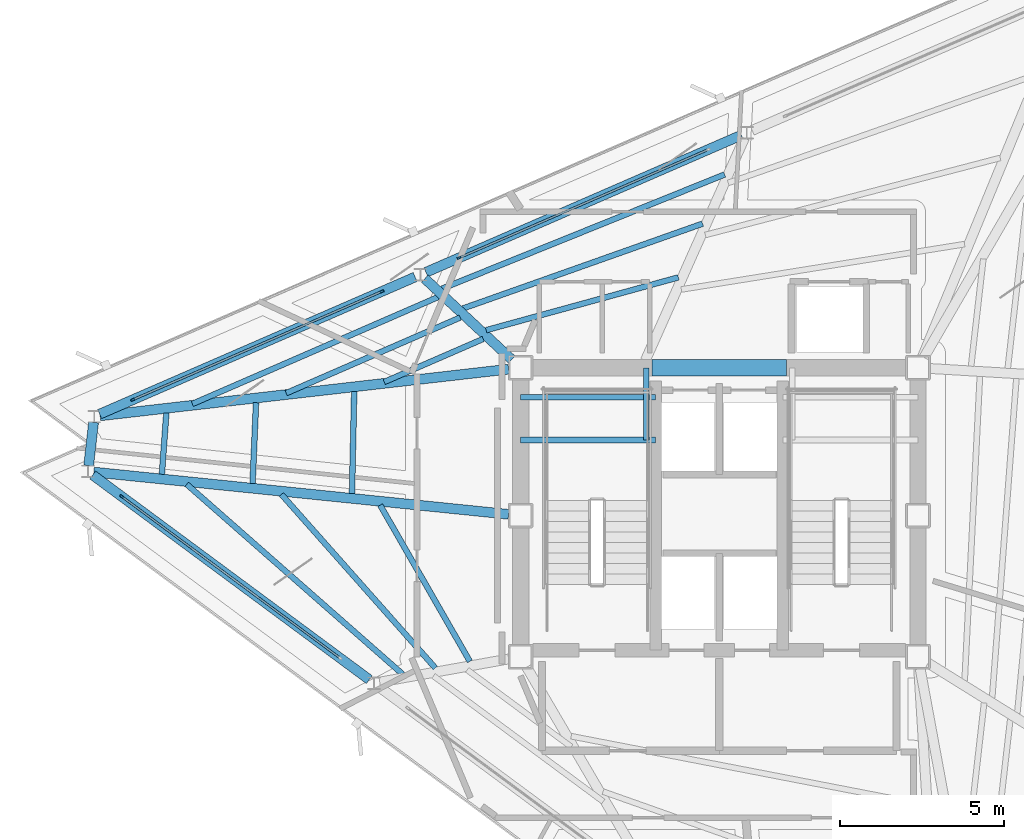
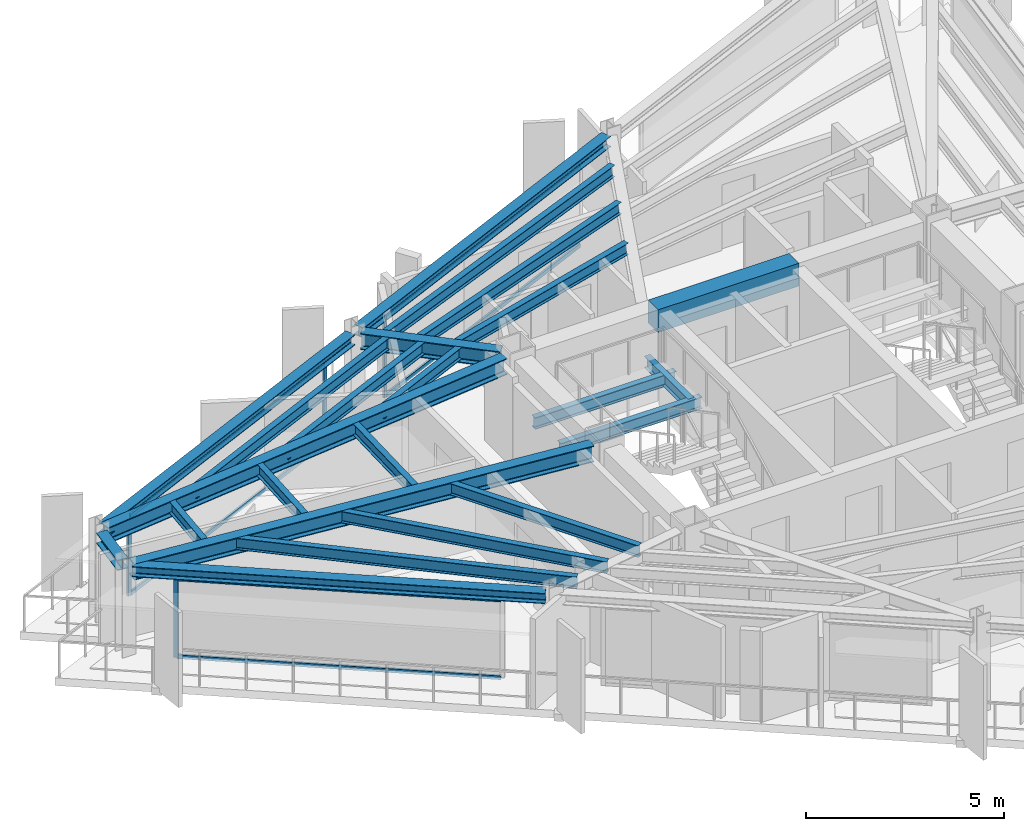
# One storey, part 3 of 10: 23 beams, 10 members, 3 elements without a shape of their own.
"""IFC4 building model written with IfcOpenShell, lengths in metres."""

from ifc_helpers import new_model, si_unit, direction, frame, origin, origin_2d, place, context, subcontext, project, spatial, rectangle, i_section, extrude, material, layer, layer_set, material_profile, profile_set, type_object, element, aggregate, save


model = new_model("IFC4")

# Units and contexts
model_context = context("Model", 3, precision=1e-05, world=origin(), true_north=direction((0.0, 1.0)))
body_context = subcontext(model_context, "Body", "Model", "MODEL_VIEW")
ifc_project = project(units=[si_unit("LENGTHUNIT", "METRE"), si_unit("AREAUNIT", "SQUARE_METRE"), si_unit("VOLUMEUNIT", "CUBIC_METRE"), si_unit("PLANEANGLEUNIT", "RADIAN"), si_unit("MASSUNIT", "GRAM", prefix="KILO")], contexts=[model_context])

# Site, building, storey
site_placement = place(None, origin())
site = spatial("IfcSite", under=ifc_project, at=site_placement, CompositionType="ELEMENT")
building_placement = place(site_placement, origin())
building = spatial("IfcBuilding", under=site, at=building_placement, Name="Rocaltana Carrier Exchange", CompositionType="ELEMENT")
storey_placement = place(building_placement, frame((0.0, 0.0, 224.0)))
storey = spatial("IfcBuildingStorey", under=building, at=storey_placement, Name="L71", CompositionType="ELEMENT", Elevation=224.0)

# Curtain wall, member
ifc_material_1 = material(Name="Aluminium 6063-T6", Category="aluminium")
ifc_layer = layer(ifc_material_1, 0.1201171875)
ifc_layer_set = layer_set([ifc_layer], Name="Aluminium 6063-T6")
curtain_wall_type = type_object("IfcCurtainWallType", Name="High-Altitude Thermal Curtain Wall CW-05", PredefinedType="NOTDEFINED", material=ifc_layer_set)
curtain_wall_1_placement = place(storey_placement, origin())
curtain_wall_1 = element("IfcCurtainWall", 1, at=curtain_wall_1_placement, inside=storey, type_object=curtain_wall_type, Name="L71 CW-05 Run CW-L71-F2S2", PredefinedType="NOTDEFINED")
ifc_material_2 = material(Name="Aluminium 6063-T6", Category="aluminium")
ifc_material_profile_1 = material_profile(ifc_material_2, rectangle(XDim=0.06005859375, YDim=0.1201171875, at=origin_2d()), Name="AL-60X120")
ifc_profile_set_1 = profile_set([ifc_material_profile_1], Name="Aluminium 6063-T6")
member_type_1 = type_object("IfcMemberType", Name="CW-05 Mullion AL-60X120", PredefinedType="MULLION", material=ifc_profile_set_1)
member_1_placement = place(storey_placement, frame((-7.922607421875, 7.846435546875, 0.0), z_axis=(0.0, 0.0, 1.0), x_axis=(0.398752438254, -0.917058609352, 0.0)))
member_1 = element("IfcMember", 2, at=member_1_placement, type_object=member_type_1, Name="CW-05 mullion 2", PredefinedType="MULLION", context=body_context, shape_type="SweptSolid", body=[
    extrude(rectangle(XDim=0.06005859375, YDim=0.1201171875, at=origin_2d()), origin(), (0.0, 0.0, 1.0), 2.447998046875),
])

# Curtain wall, members
curtain_wall_2_placement = place(storey_placement, origin())
curtain_wall_2 = element("IfcCurtainWall", 3, at=curtain_wall_2_placement, inside=storey, type_object=curtain_wall_type, Name="L71 CW-05 Run CW-L71-F2S3", PredefinedType="NOTDEFINED")
member_2_placement = place(storey_placement, frame((-10.270263671875, 6.82568359375, 0.0), z_axis=(0.0, 0.0, 1.0), x_axis=(0.39875682637, -0.917056701313, 0.0)))
member_2 = element("IfcMember", 4, at=member_2_placement, type_object=member_type_1, Name="CW-05 mullion 1", PredefinedType="MULLION", context=body_context, shape_type="SweptSolid", body=[
    extrude(rectangle(XDim=0.06005859375, YDim=0.1201171875, at=origin_2d()), origin(), (0.0, 0.0, 1.0), 2.447998046875),
])
member_3_placement = place(storey_placement, frame((-17.857421875, 3.526611328125, 0.0), z_axis=(0.0, 0.0, 1.0), x_axis=(0.39875682637, -0.917056701313, 0.0)))
member_3 = element("IfcMember", 5, at=member_3_placement, type_object=member_type_1, Name="CW-05 mullion 2", PredefinedType="MULLION", context=body_context, shape_type="SweptSolid", body=[
    extrude(rectangle(XDim=0.06005859375, YDim=0.1201171875, at=origin_2d()), origin(), (0.0, 0.0, 1.0), 2.447998046875),
])

# Curtain wall, member
curtain_wall_3_placement = place(storey_placement, origin())
curtain_wall_3 = element("IfcCurtainWall", 6, at=curtain_wall_3_placement, inside=storey, type_object=curtain_wall_type, Name="L71 CW-05 Run CW-L71-F3S1", PredefinedType="NOTDEFINED")
member_4_placement = place(storey_placement, frame((-18.19287109375, 0.580810546875, 0.0), z_axis=(0.0, 0.0, 1.0), x_axis=(0.594826566974, 0.803854063386, 0.0)))
member_4 = element("IfcMember", 7, at=member_4_placement, type_object=member_type_1, Name="CW-05 mullion 1", PredefinedType="MULLION", context=body_context, shape_type="SweptSolid", body=[
    extrude(rectangle(XDim=0.06005859375, YDim=0.1201171875, at=origin_2d()), origin(), (0.0, 0.0, 1.0), 2.447998046875),
])

# Member
ifc_material_3 = material(Name="Aluminium 6063-T6", Category="aluminium")
ifc_material_profile_2 = material_profile(ifc_material_3, rectangle(XDim=0.06005859375, YDim=0.1201171875, at=origin_2d()), Name="AL-60X120")
ifc_profile_set_2 = profile_set([ifc_material_profile_2], Name="Aluminium 6063-T6")
member_type_2 = type_object("IfcMemberType", Name="CW-05 Transom AL-60X120", PredefinedType="USERDEFINED", material=ifc_profile_set_2)
member_5_placement = place(storey_placement, frame((-0.36279296875, 11.133544921875, 0.030029296875), z_axis=(-0.917058241688, -0.398753283814, 0.0), x_axis=(0.398753283814, -0.917058241688, 0.0)))
member_5 = element("IfcMember", 8, at=member_5_placement, type_object=member_type_2, Name="CW-05 transom 1.1", ObjectType="TRANSOM", PredefinedType="USERDEFINED", context=body_context, shape_type="SweptSolid", body=[
    extrude(rectangle(XDim=0.06005859375, YDim=0.1201171875, at=origin_2d()), origin(), (0.0, 0.0, 1.0), 8.21337890625),
])

member_6_placement = place(storey_placement, frame((-0.36279296875, 11.133544921875, 2.41796875), z_axis=(-0.917058241688, -0.398753283814, 0.0), x_axis=(0.398753283814, -0.917058241688, 0.0)))
member_6 = element("IfcMember", 9, at=member_6_placement, type_object=member_type_2, Name="CW-05 transom 1.2", ObjectType="TRANSOM", PredefinedType="USERDEFINED", context=body_context, shape_type="SweptSolid", body=[
    extrude(rectangle(XDim=0.06005859375, YDim=0.1201171875, at=origin_2d()), origin(), (0.0, 0.0, 1.0), 8.21337890625),
])

aggregate(curtain_wall_1, [member_1, member_5, member_6])

member_7_placement = place(storey_placement, frame((-10.297607421875, 6.813720703125, 0.030029296875), z_axis=(-0.917058241688, -0.398753283814, 0.0), x_axis=(0.398753283814, -0.917058241688, 0.0)))
member_7 = element("IfcMember", 10, at=member_7_placement, type_object=member_type_2, Name="CW-05 transom 1.1", ObjectType="TRANSOM", PredefinedType="USERDEFINED", context=body_context, shape_type="SweptSolid", body=[
    extrude(rectangle(XDim=0.06005859375, YDim=0.1201171875, at=origin_2d()), origin(), (0.0, 0.0, 1.0), 8.21337890625),
])

member_8_placement = place(storey_placement, frame((-10.297607421875, 6.813720703125, 2.41796875), z_axis=(-0.917058241688, -0.398753283814, 0.0), x_axis=(0.398753283814, -0.917058241688, 0.0)))
member_8 = element("IfcMember", 11, at=member_8_placement, type_object=member_type_2, Name="CW-05 transom 1.2", ObjectType="TRANSOM", PredefinedType="USERDEFINED", context=body_context, shape_type="SweptSolid", body=[
    extrude(rectangle(XDim=0.06005859375, YDim=0.1201171875, at=origin_2d()), origin(), (0.0, 0.0, 1.0), 8.21337890625),
])

aggregate(curtain_wall_2, [member_2, member_3, member_7, member_8])

member_9_placement = place(storey_placement, frame((-18.1689453125, 0.56298828125, 0.030029296875), z_axis=(0.803853553959, -0.594827255418, 0.0), x_axis=(0.594827255418, 0.803853553959, 0.0)))
member_9 = element("IfcMember", 12, at=member_9_placement, type_object=member_type_2, Name="CW-05 transom 1.1", ObjectType="TRANSOM", PredefinedType="USERDEFINED", context=body_context, shape_type="SweptSolid", body=[
    extrude(rectangle(XDim=0.06005859375, YDim=0.1201171875, at=origin_2d()), origin(), (0.0, 0.0, 1.0), 8.21337890625),
])

member_10_placement = place(storey_placement, frame((-18.1689453125, 0.56298828125, 2.41796875), z_axis=(0.803853553959, -0.594827255418, 0.0), x_axis=(0.594827255418, 0.803853553959, 0.0)))
member_10 = element("IfcMember", 13, at=member_10_placement, type_object=member_type_2, Name="CW-05 transom 1.2", ObjectType="TRANSOM", PredefinedType="USERDEFINED", context=body_context, shape_type="SweptSolid", body=[
    extrude(rectangle(XDim=0.06005859375, YDim=0.1201171875, at=origin_2d()), origin(), (0.0, 0.0, 1.0), 8.21337890625),
])

aggregate(curtain_wall_3, [member_4, member_9, member_10])

# Beams
ifc_material_4 = material(Name="Concrete C60/75", Category="concrete")
ifc_material_profile_3 = material_profile(ifc_material_4, rectangle(XDim=0.5, YDim=0.699951171875, at=origin_2d()), Name="RC-BM-500X700")
ifc_profile_set_3 = profile_set([ifc_material_profile_3], Name="Concrete C60/75")
beam_type_1 = type_object("IfcBeamType", Name="Core Coupling Lintel 500x700", PredefinedType="LINTEL", material=ifc_profile_set_3)
beam_1_placement = place(storey_placement, frame((-2.050048828125, 4.5, 2.447998046875), z_axis=(1.0, 0.0, 0.0), x_axis=(0.0, 1.0, 0.0)))
element("IfcBeam", 14, at=beam_1_placement, inside=storey, type_object=beam_type_1, Name="L71 Core Coupling Lintel CL-N", PredefinedType="LINTEL", context=body_context, shape_type="SweptSolid", body=[
    extrude(rectangle(XDim=0.5, YDim=0.699951171875, at=origin_2d()), origin(), (0.0, 0.0, 1.0), 4.10009765625),
])
ifc_material_5 = material(Name="Steel S355", Category="steel")
ifc_material_profile_4 = material_profile(ifc_material_5, i_section(OverallWidth=0.172119140625, OverallDepth=0.35791015625, WebThickness=0.0078125, FlangeThickness=0.01318359375, FilletRadius=0.011962890625, at=origin_2d()), Name="W14X38")
ifc_profile_set_4 = profile_set([ifc_material_profile_4], Name="Steel S355")
beam_type_2 = type_object("IfcBeamType", Name="Floor Joist W14X38", PredefinedType="JOIST", material=ifc_profile_set_4)
for number, where, z_axis, x_axis, name in (
    (15, (-6.050048828125, 2.300048828125, 1.14111328125), (1.0, 0.0, 0.0), (0.0, 1.0, 0.0), "L71 ST-1 Landing Carrier 1"),
    (16, (-6.050048828125, 3.60009765625, 1.14111328125), (1.0, 0.0, 0.0), (0.0, 1.0, 0.0), "L71 ST-1 Landing Carrier 2"),
):
    element("IfcBeam", number, at=place(storey_placement, frame(where, z_axis=z_axis, x_axis=x_axis)), inside=storey, type_object=beam_type_2, Name=name, PredefinedType="JOIST", context=body_context, shape_type="SweptSolid", body=[
        extrude(i_section(OverallWidth=0.172119140625, OverallDepth=0.35791015625, WebThickness=0.0078125, FlangeThickness=0.01318359375, FilletRadius=0.011962890625, at=origin_2d()), origin(), (0.0, 0.0, 1.0), 4.110107421875),
    ])
beam_2_placement = place(storey_placement, frame((-2.219970703125, 2.300048828125, 1.14111328125), z_axis=(0.0, 1.0, 0.0), x_axis=(-1.0, 0.0, 0.0)))
element("IfcBeam", 17, at=beam_2_placement, inside=storey, type_object=beam_type_2, Name="L71 ST-1 Landing Cross Trimmer", PredefinedType="JOIST", context=body_context, shape_type="SweptSolid", body=[
    extrude(i_section(OverallWidth=0.172119140625, OverallDepth=0.35791015625, WebThickness=0.0078125, FlangeThickness=0.01318359375, FilletRadius=0.011962890625, at=origin_2d()), origin(), (0.0, 0.0, 1.0), 2.199951171875),
])
beam_3_placement = place(storey_placement, frame((-1.245361328125, 7.252685546875, 2.618896484375), z_axis=(-0.964263719162, -0.26494429586, 0.0), x_axis=(0.26494429586, -0.964263719162, 0.0)))
element("IfcBeam", 18, at=beam_3_placement, inside=storey, type_object=beam_type_2, Name="FJ-L71-06-1", PredefinedType="JOIST", context=body_context, shape_type="SweptSolid", body=[
    extrude(i_section(OverallWidth=0.172119140625, OverallDepth=0.35791015625, WebThickness=0.0078125, FlangeThickness=0.01318359375, FilletRadius=0.011962890625, at=origin_2d()), origin(), (0.0, 0.0, 1.0), 6.07080078125),
])
beam_4_placement = place(storey_placement, frame((-0.5087890625, 8.888427734375, 2.618896484375), z_axis=(-0.942681203014, -0.333694695019, 0.0), x_axis=(0.333694695019, -0.942681203014, 0.0)))
element("IfcBeam", 19, at=beam_4_placement, inside=storey, type_object=beam_type_2, Name="FJ-L71-06-2", PredefinedType="JOIST", context=body_context, shape_type="SweptSolid", body=[
    extrude(i_section(OverallWidth=0.172119140625, OverallDepth=0.35791015625, WebThickness=0.0078125, FlangeThickness=0.01318359375, FilletRadius=0.011962890625, at=origin_2d()), origin(), (0.0, 0.0, 1.0), 7.73779296875),
])
beam_5_placement = place(storey_placement, frame((0.162841796875, 10.385498046875, 2.618896484375), z_axis=(-0.927185285553, -0.374603051582, 0.0), x_axis=(0.374603051582, -0.927185285553, 0.0)))
element("IfcBeam", 20, at=beam_5_placement, inside=storey, type_object=beam_type_2, Name="FJ-L71-06-3", PredefinedType="JOIST", context=body_context, shape_type="SweptSolid", body=[
    extrude(i_section(OverallWidth=0.172119140625, OverallDepth=0.35791015625, WebThickness=0.0078125, FlangeThickness=0.01318359375, FilletRadius=0.011962890625, at=origin_2d()), origin(), (0.0, 0.0, 1.0), 9.283935546875),
])
beam_6_placement = place(storey_placement, frame((-7.1875, 5.37841796875, 2.618896484375), z_axis=(-0.917065332478, -0.398736975923, 0.0), x_axis=(0.398736975923, -0.917065332478, 0.0)))
element("IfcBeam", 21, at=beam_6_placement, inside=storey, type_object=beam_type_2, Name="FJ-L71-07-1", PredefinedType="JOIST", context=body_context, shape_type="SweptSolid", body=[
    extrude(i_section(OverallWidth=0.172119140625, OverallDepth=0.35791015625, WebThickness=0.0078125, FlangeThickness=0.01318359375, FilletRadius=0.011962890625, at=origin_2d()), origin(), (0.0, 0.0, 1.0), 3.286865234375),
])
beam_7_placement = place(storey_placement, frame((-7.887939453125, 6.03076171875, 2.618896484375), z_axis=(-0.917067369584, -0.398732290696, 0.0), x_axis=(0.398732290696, -0.917067369584, 0.0)))
element("IfcBeam", 22, at=beam_7_placement, inside=storey, type_object=beam_type_2, Name="FJ-L71-07-2", PredefinedType="JOIST", context=body_context, shape_type="SweptSolid", body=[
    extrude(i_section(OverallWidth=0.172119140625, OverallDepth=0.35791015625, WebThickness=0.0078125, FlangeThickness=0.01318359375, FilletRadius=0.011962890625, at=origin_2d()), origin(), (0.0, 0.0, 1.0), 5.77880859375),
])
beam_8_placement = place(storey_placement, frame((-8.55810546875, 6.65478515625, 2.618896484375), z_axis=(-0.917059118447, -0.398751267426, 0.0), x_axis=(0.398751267426, -0.917059118447, 0.0)))
element("IfcBeam", 23, at=beam_8_placement, inside=storey, type_object=beam_type_2, Name="FJ-L71-07-3", PredefinedType="JOIST", context=body_context, shape_type="SweptSolid", body=[
    extrude(i_section(OverallWidth=0.172119140625, OverallDepth=0.35791015625, WebThickness=0.0078125, FlangeThickness=0.01318359375, FilletRadius=0.011962890625, at=origin_2d()), origin(), (0.0, 0.0, 1.0), 8.162109375),
])
beam_9_placement = place(storey_placement, frame((-11.11572265625, 3.77734375, 2.618896484375), z_axis=(-0.021897715524, -0.999760216279, 0.0), x_axis=(0.999760216279, -0.021897715524, 0.0)))
element("IfcBeam", 24, at=beam_9_placement, inside=storey, type_object=beam_type_2, Name="FJ-L71-08-1", PredefinedType="JOIST", context=body_context, shape_type="SweptSolid", body=[
    extrude(i_section(OverallWidth=0.172119140625, OverallDepth=0.35791015625, WebThickness=0.0078125, FlangeThickness=0.01318359375, FilletRadius=0.011962890625, at=origin_2d()), origin(), (0.0, 0.0, 1.0), 3.110595703125),
])
beam_10_placement = place(storey_placement, frame((-14.1044921875, 3.436279296875, 2.618896484375), z_axis=(-0.04302848557, -0.999073845834, 0.0), x_axis=(0.999073845834, -0.04302848557, 0.0)))
element("IfcBeam", 25, at=beam_10_placement, inside=storey, type_object=beam_type_2, Name="FJ-L71-08-2", PredefinedType="JOIST", context=body_context, shape_type="SweptSolid", body=[
    extrude(i_section(OverallWidth=0.172119140625, OverallDepth=0.35791015625, WebThickness=0.0078125, FlangeThickness=0.01318359375, FilletRadius=0.011962890625, at=origin_2d()), origin(), (0.0, 0.0, 1.0), 2.46240234375),
])
beam_11_placement = place(storey_placement, frame((-16.8349609375, 3.124755859375, 2.618896484375), z_axis=(-0.07328566638, -0.997310990165, 0.0), x_axis=(0.997310990165, -0.07328566638, 0.0)))
element("IfcBeam", 26, at=beam_11_placement, inside=storey, type_object=beam_type_2, Name="FJ-L71-08-3", PredefinedType="JOIST", context=body_context, shape_type="SweptSolid", body=[
    extrude(i_section(OverallWidth=0.172119140625, OverallDepth=0.35791015625, WebThickness=0.0078125, FlangeThickness=0.01318359375, FilletRadius=0.011962890625, at=origin_2d()), origin(), (0.0, 0.0, 1.0), 1.872314453125),
])
beam_12_placement = place(storey_placement, frame((-10.3251953125, 0.318115234375, 2.618896484375), z_axis=(0.497781973969, -0.867302200153, 0.0), x_axis=(0.867302200153, 0.497781973969, 0.0)))
element("IfcBeam", 27, at=beam_12_placement, inside=storey, type_object=beam_type_2, Name="FJ-L71-09-1", PredefinedType="JOIST", context=body_context, shape_type="SweptSolid", body=[
    extrude(i_section(OverallWidth=0.172119140625, OverallDepth=0.35791015625, WebThickness=0.0078125, FlangeThickness=0.01318359375, FilletRadius=0.011962890625, at=origin_2d()), origin(), (0.0, 0.0, 1.0), 5.48583984375),
])
beam_13_placement = place(storey_placement, frame((-13.330810546875, 0.643798828125, 2.618896484375), z_axis=(0.663404294512, -0.748261145605, 0.0), x_axis=(0.748261145605, 0.663404294512, 0.0)))
element("IfcBeam", 28, at=beam_13_placement, inside=storey, type_object=beam_type_2, Name="FJ-L71-09-2", PredefinedType="JOIST", context=body_context, shape_type="SweptSolid", body=[
    extrude(i_section(OverallWidth=0.172119140625, OverallDepth=0.35791015625, WebThickness=0.0078125, FlangeThickness=0.01318359375, FilletRadius=0.011962890625, at=origin_2d()), origin(), (0.0, 0.0, 1.0), 7.063232421875),
])
beam_14_placement = place(storey_placement, frame((-16.2158203125, 0.951904296875, 2.618896484375), z_axis=(0.750985569643, -0.66031861566, 0.0), x_axis=(0.66031861566, 0.750985569643, 0.0)))
element("IfcBeam", 29, at=beam_14_placement, inside=storey, type_object=beam_type_2, Name="FJ-L71-09-3", PredefinedType="JOIST", context=body_context, shape_type="SweptSolid", body=[
    extrude(i_section(OverallWidth=0.172119140625, OverallDepth=0.35791015625, WebThickness=0.0078125, FlangeThickness=0.01318359375, FilletRadius=0.011962890625, at=origin_2d()), origin(), (0.0, 0.0, 1.0), 8.7568359375),
])
ifc_material_6 = material(Name="Steel S355", Category="steel")
ifc_material_profile_5 = material_profile(ifc_material_6, i_section(OverallWidth=0.300048828125, OverallDepth=0.320068359375, WebThickness=0.011474609375, FlangeThickness=0.0205078125, FilletRadius=0.027099609375, at=origin_2d()), Name="HEB320")
ifc_profile_set_5 = profile_set([ifc_material_profile_5], Name="Steel S355")
beam_type_3 = type_object("IfcBeamType", Name="Spandrel Edge Beam HEB320", PredefinedType="SPANDREL", material=ifc_profile_set_5)
for number, where, z_axis, x_axis, name in (
    (30, (0.673828125, 11.584228515625, 2.637939453125), (-0.917065980028, -0.398735486602, 0.0), (0.398735486602, -0.917065980028, 0.0), "SP-L71-06"),
    (31, (-9.260986328125, 7.264404296875, 2.637939453125), (-0.917065980028, -0.398735486602, 0.0), (0.398735486602, -0.917065980028, 0.0), "SP-L71-07"),
):
    element("IfcBeam", number, at=place(storey_placement, frame(where, z_axis=z_axis, x_axis=x_axis)), inside=storey, type_object=beam_type_3, Name=name, PredefinedType="SPANDREL", context=body_context, shape_type="SweptSolid", body=[
        extrude(i_section(OverallWidth=0.300048828125, OverallDepth=0.320068359375, WebThickness=0.011474609375, FlangeThickness=0.0205078125, FilletRadius=0.027099609375, at=origin_2d()), origin(), (0.0, 0.0, 1.0), 10.474365234375),
    ])
beam_15_placement = place(storey_placement, frame((-19.051513671875, 2.837890625, 2.637939453125), z_axis=(-0.113240196336, -0.993567641348, 0.0), x_axis=(0.993567641348, -0.113240196336, 0.0)))
element("IfcBeam", 32, at=beam_15_placement, inside=storey, type_object=beam_type_3, Name="SP-L71-08", PredefinedType="SPANDREL", context=body_context, shape_type="SweptSolid", body=[
    extrude(i_section(OverallWidth=0.300048828125, OverallDepth=0.320068359375, WebThickness=0.011474609375, FlangeThickness=0.0205078125, FilletRadius=0.027099609375, at=origin_2d()), origin(), (0.0, 0.0, 1.0), 1.325927734375),
])
beam_16_placement = place(storey_placement, frame((-19.07763671875, 1.2353515625, 2.637939453125), z_axis=(0.803854381492, -0.594826137082, 0.0), x_axis=(0.594826137082, 0.803854381492, 0.0)))
element("IfcBeam", 33, at=beam_16_placement, inside=storey, type_object=beam_type_3, Name="SP-L71-09", PredefinedType="SPANDREL", context=body_context, shape_type="SweptSolid", body=[
    extrude(i_section(OverallWidth=0.300048828125, OverallDepth=0.320068359375, WebThickness=0.011474609375, FlangeThickness=0.0205078125, FilletRadius=0.027099609375, at=origin_2d()), origin(), (0.0, 0.0, 1.0), 10.474365234375),
])
ifc_material_7 = material(Name="Steel S355", Category="steel")
ifc_material_profile_6 = material_profile(ifc_material_7, i_section(OverallWidth=0.300048828125, OverallDepth=0.5, WebThickness=0.014404296875, FlangeThickness=0.028076171875, FilletRadius=0.027099609375, at=origin_2d()), Name="HEB500")
ifc_profile_set_6 = profile_set([ifc_material_profile_6], Name="Steel S355")
beam_type_4 = type_object("IfcBeamType", Name="Upper Radial Girder HEB500", PredefinedType="BEAM", material=ifc_profile_set_6)
beam_17_placement = place(storey_placement, frame((-6.318603515625, 4.75, 2.548095703125), z_axis=(-0.731941582308, 0.681367389951, 0.0), x_axis=(-0.681367389951, -0.731941582308, 0.0)))
element("IfcBeam", 34, at=beam_17_placement, inside=storey, type_object=beam_type_4, Name="RG-L71-07", PredefinedType="BEAM", context=body_context, shape_type="SweptSolid", body=[
    extrude(i_section(OverallWidth=0.300048828125, OverallDepth=0.5, WebThickness=0.014404296875, FlangeThickness=0.028076171875, FilletRadius=0.027099609375, at=origin_2d()), origin(), (0.0, 0.0, 1.0), 3.61572265625),
])
beam_18_placement = place(storey_placement, frame((-6.41455078125, 4.458251953125, 2.548095703125), z_axis=(-0.993531604049, -0.113555941083, 0.0), x_axis=(0.113555941083, -0.993531604049, 0.0)))
element("IfcBeam", 35, at=beam_18_placement, inside=storey, type_object=beam_type_4, Name="RG-L71-08", PredefinedType="BEAM", context=body_context, shape_type="SweptSolid", body=[
    extrude(i_section(OverallWidth=0.300048828125, OverallDepth=0.5, WebThickness=0.014404296875, FlangeThickness=0.028076171875, FilletRadius=0.027099609375, at=origin_2d()), origin(), (0.0, 0.0, 1.0), 12.519287109375),
])
beam_19_placement = place(storey_placement, frame((-6.4150390625, 0.037109375, 2.548095703125), z_axis=(-0.994847848946, 0.10137927524, 0.0), x_axis=(-0.10137927524, -0.994847848946, 0.0)))
element("IfcBeam", 36, at=beam_19_placement, inside=storey, type_object=beam_type_4, Name="RG-L71-09", PredefinedType="BEAM", context=body_context, shape_type="SweptSolid", body=[
    extrude(i_section(OverallWidth=0.300048828125, OverallDepth=0.5, WebThickness=0.014404296875, FlangeThickness=0.028076171875, FilletRadius=0.027099609375, at=origin_2d()), origin(), (0.0, 0.0, 1.0), 12.693603515625),
])

save(model, "model.ifc")
